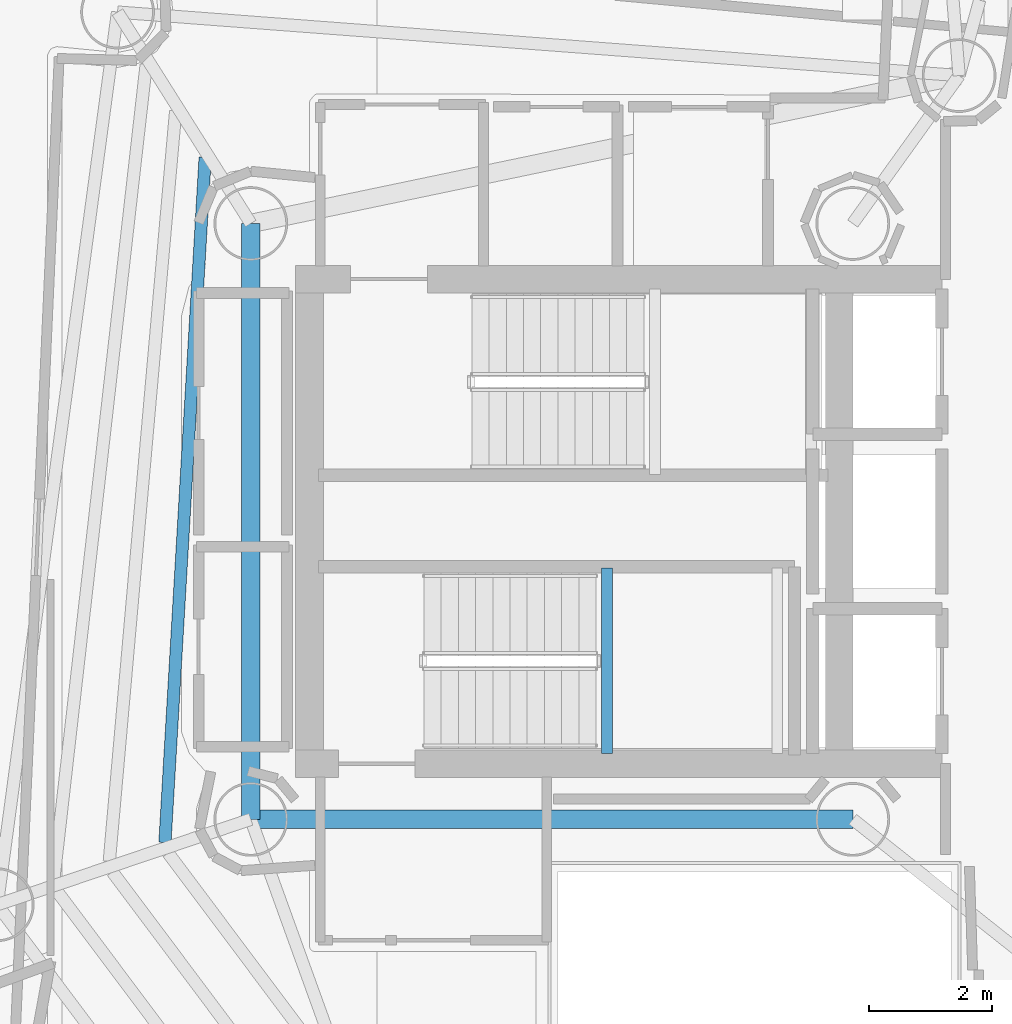
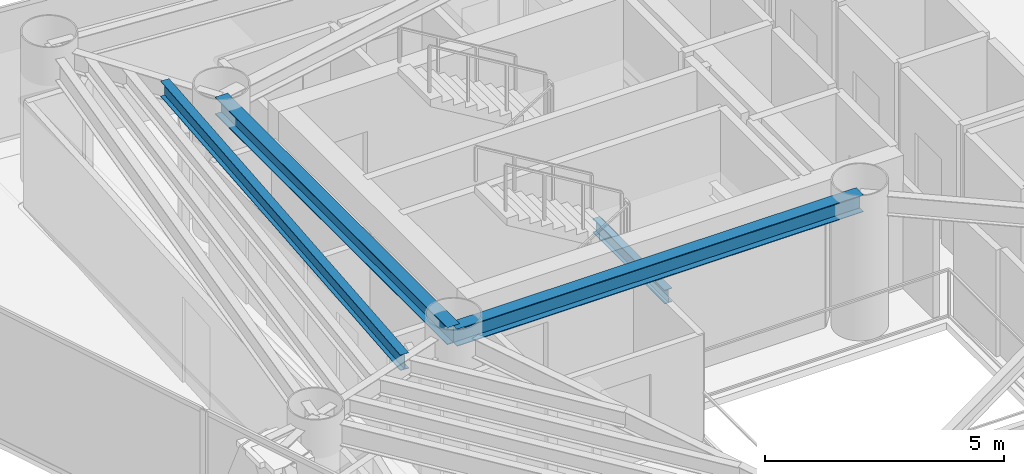
# One storey, part 8 of 20: 4 beams.
"""IFC4 building model written with IfcOpenShell, lengths in metres."""

from ifc_helpers import new_model, si_unit, direction, frame, origin, origin_2d, place, context, subcontext, project, spatial, i_section, extrude, material, material_profile, profile_set, type_object, element, save


model = new_model("IFC4")

# Units and contexts
model_context = context("Model", 3, precision=1e-05, world=origin(), true_north=direction((0.0, 1.0)))
body_context = subcontext(model_context, "Body", "Model", "MODEL_VIEW")
ifc_project = project(units=[si_unit("LENGTHUNIT", "METRE"), si_unit("AREAUNIT", "SQUARE_METRE"), si_unit("VOLUMEUNIT", "CUBIC_METRE"), si_unit("PLANEANGLEUNIT", "RADIAN"), si_unit("MASSUNIT", "GRAM", prefix="KILO")], contexts=[model_context])

# Site, building, storey
site_placement = place(None, origin())
site = spatial("IfcSite", under=ifc_project, at=site_placement, CompositionType="ELEMENT")
building_placement = place(site_placement, origin())
building = spatial("IfcBuilding", under=site, at=building_placement, Name="Qianvela Tower", CompositionType="ELEMENT")
storey_placement = place(building_placement, frame((0.0, 0.0, 226.199951171875)))
storey = spatial("IfcBuildingStorey", under=building, at=storey_placement, Name="L58", CompositionType="ELEMENT", Elevation=226.199951171875)

# Beams
ifc_material_1 = material(Name="Steel Q355B", Category="steel")
ifc_material_profile_1 = material_profile(ifc_material_1, i_section(OverallWidth=0.300048828125, OverallDepth=0.43994140625, WebThickness=0.010986328125, FlangeThickness=0.01806640625, at=origin_2d()), Name="HM440x300x11x18")
ifc_profile_set_1 = profile_set([ifc_material_profile_1], Name="Steel Q355B")
beam_type_1 = type_object("IfcBeamType", Name="BM-HM440-COLL", PredefinedType="BEAM", material=ifc_profile_set_1)
beam_1_placement = place(storey_placement, frame((28.60009765625, 23.85009765625, 3.177978515625), z_axis=(1.0, 0.0, 0.0), x_axis=(0.0, 1.0, 0.0)))
element("IfcBeam", 1, at=beam_1_placement, inside=storey, type_object=beam_type_1, Name="L58 Core Ring Collector Girder CC1", PredefinedType="BEAM", context=body_context, shape_type="SweptSolid", body=[
    extrude(i_section(OverallWidth=0.300048828125, OverallDepth=0.43994140625, WebThickness=0.010986328125, FlangeThickness=0.01806640625, at=origin_2d()), origin(), (0.0, 0.0, 1.0), 9.7998046875),
])
beam_2_placement = place(storey_placement, frame((28.60009765625, 33.550048828125, 3.177978515625), z_axis=(0.0, -1.0, 0.0), x_axis=(1.0, 0.0, 0.0)))
element("IfcBeam", 2, at=beam_2_placement, inside=storey, type_object=beam_type_1, Name="L58 Core Ring Collector Girder CC2", PredefinedType="BEAM", context=body_context, shape_type="SweptSolid", body=[
    extrude(i_section(OverallWidth=0.300048828125, OverallDepth=0.43994140625, WebThickness=0.010986328125, FlangeThickness=0.01806640625, at=origin_2d()), origin(), (0.0, 0.0, 1.0), 9.699951171875),
])
ifc_material_2 = material(Name="Steel Q355B", Category="steel")
ifc_material_profile_2 = material_profile(ifc_material_2, i_section(OverallWidth=0.175048828125, OverallDepth=0.35009765625, WebThickness=0.007080078125, FlangeThickness=0.010986328125, at=origin_2d()), Name="HN350x175x7x11")
ifc_profile_set_2 = profile_set([ifc_material_profile_2], Name="Steel Q355B")
beam_type_2 = type_object("IfcBeamType", Name="BM-HN350-JOIST", PredefinedType="JOIST", material=ifc_profile_set_2)
beam_3_placement = place(storey_placement, frame((34.39990234375, 24.919921875, 1.47509765625), z_axis=(0.0, 1.0, 0.0), x_axis=(-1.0, 0.0, 0.0)))
element("IfcBeam", 3, at=beam_3_placement, inside=storey, type_object=beam_type_2, Name="L58 Stair ST-2 Landing Support Beam 1.1", PredefinedType="JOIST", context=body_context, shape_type="SweptSolid", body=[
    extrude(i_section(OverallWidth=0.175048828125, OverallDepth=0.35009765625, WebThickness=0.007080078125, FlangeThickness=0.010986328125, at=origin_2d()), origin(), (0.0, 0.0, 1.0), 3.02001953125),
])
ifc_material_3 = material(Name="Steel Q355B", Category="steel")
ifc_material_profile_3 = material_profile(ifc_material_3, i_section(OverallWidth=0.199951171875, OverallDepth=0.39990234375, WebThickness=0.008056640625, FlangeThickness=0.012939453125, at=origin_2d()), Name="HN400x200x8x13")
ifc_profile_set_3 = profile_set([ifc_material_profile_3], Name="Steel Q355B")
beam_type_3 = type_object("IfcBeamType", Name="BM-HN400-JOIST", PredefinedType="JOIST", material=ifc_profile_set_3)
beam_4_placement = place(storey_placement, frame((27.85693359375, 34.62451171875, 3.197998046875), z_axis=(-0.05861696358, -0.998280547532, 0.0), x_axis=(0.998280547532, -0.05861696358, 0.0)))
element("IfcBeam", 4, at=beam_4_placement, inside=storey, type_object=beam_type_3, Name="L58 Secondary Composite Floor Joist 3.1", PredefinedType="JOIST", context=body_context, shape_type="SweptSolid", body=[
    extrude(i_section(OverallWidth=0.199951171875, OverallDepth=0.39990234375, WebThickness=0.008056640625, FlangeThickness=0.012939453125, at=origin_2d()), origin(), (0.0, 0.0, 1.0), 11.170654296875),
])

save(model, "model.ifc")
